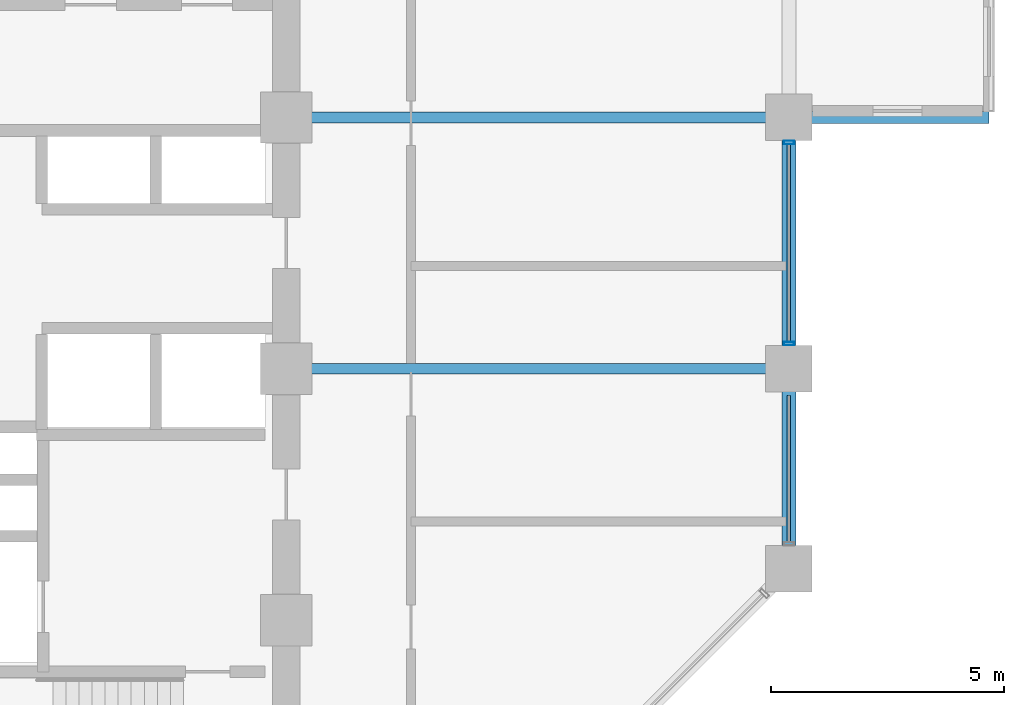
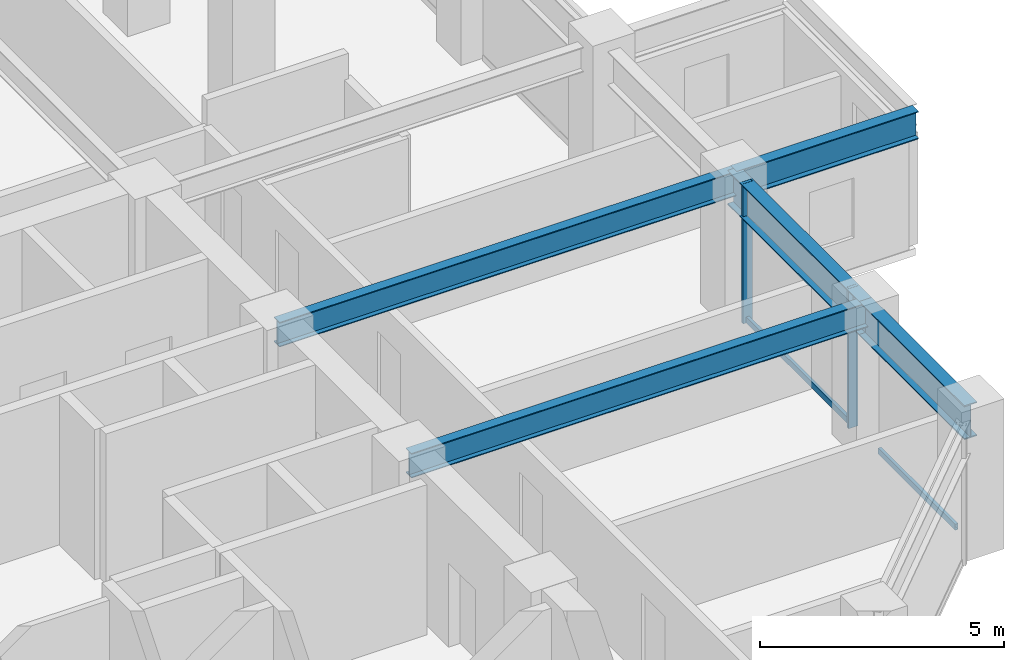
# One storey, part 9 of 29: 5 beams, 4 members, 1 element without a shape of its own.
"""IFC4 building model written with IfcOpenShell, lengths in metres."""

from ifc_helpers import new_model, si_unit, direction, frame, origin, origin_2d, place, context, subcontext, project, spatial, hollow_rectangle, i_section, extrude, material, layer, layer_set, material_profile, profile_set, type_object, element, aggregate, save


model = new_model("IFC4")

# Units and contexts
model_context = context("Model", 3, precision=1e-05, world=origin(), true_north=direction((0.0, 1.0)))
body_context = subcontext(model_context, "Body", "Model", "MODEL_VIEW")
ifc_project = project(units=[si_unit("LENGTHUNIT", "METRE"), si_unit("AREAUNIT", "SQUARE_METRE"), si_unit("VOLUMEUNIT", "CUBIC_METRE"), si_unit("PLANEANGLEUNIT", "RADIAN"), si_unit("MASSUNIT", "GRAM", prefix="KILO")], contexts=[model_context])

# Site, building, storey
site_placement = place(None, origin())
site = spatial("IfcSite", under=ifc_project, at=site_placement, CompositionType="ELEMENT")
building_placement = place(site_placement, origin())
building = spatial("IfcBuilding", under=site, at=building_placement, Name="Surkhivell Harbour Commons", CompositionType="ELEMENT")
storey_placement = place(building_placement, frame((0.0, 0.0, 158.25)))
storey = spatial("IfcBuildingStorey", under=building, at=storey_placement, Name="L41", CompositionType="ELEMENT", Elevation=158.25)

# Beams
ifc_material_1 = material(Name="Steel S460", Category="steel")
ifc_material_profile_1 = material_profile(ifc_material_1, i_section(OverallWidth=0.256103515625, OverallDepth=0.693115234375, WebThickness=0.014404296875, FlangeThickness=0.023681640625, at=origin_2d()), Name="UB686x254x170")
ifc_profile_set_1 = profile_set([ifc_material_profile_1], Name="Steel S460")
beam_type_1 = type_object("IfcBeamType", Name="BM-CNT-686", PredefinedType="BEAM", material=ifc_profile_set_1)
beam_1_placement = place(storey_placement, frame((21.60009765625, 5.39990234375, 3.153564453125), z_axis=(1.0, 0.0, 0.0), x_axis=(0.0, 1.0, 0.0)))
element("IfcBeam", 1, at=beam_1_placement, inside=storey, type_object=beam_type_1, Name="L41 Box Cantilever Outrigger (21.6,5.4)", PredefinedType="BEAM", context=body_context, shape_type="SweptSolid", body=[
    extrude(i_section(OverallWidth=0.256103515625, OverallDepth=0.693115234375, WebThickness=0.014404296875, FlangeThickness=0.023681640625, at=origin_2d()), origin(), (0.0, 0.0, 1.0), 4.2998046875),
])
ifc_material_2 = material(Name="Steel S355", Category="steel")
ifc_material_profile_2 = material_profile(ifc_material_2, i_section(OverallWidth=0.22998046875, OverallDepth=0.616943359375, WebThickness=0.01318359375, FlangeThickness=0.022216796875, at=origin_2d()), Name="UB610x229x140")
ifc_profile_set_2 = profile_set([ifc_material_profile_2], Name="Steel S355")
beam_type_2 = type_object("IfcBeamType", Name="BM-GRD-610B", PredefinedType="BEAM", material=ifc_profile_set_2)
for number, where, z_axis, x_axis, name in (
    (2, (10.800048828125, 5.39990234375, 3.19140625), (1.0, 0.0, 0.0), (0.0, 1.0, 0.0), "L41 Cantilever Back-Span Girder (10.8,5.4)"),
    (3, (10.800048828125, 0.0, 3.19140625), (1.0, 0.0, 0.0), (0.0, 1.0, 0.0), "L41 Floor Girder (10.8,0.0)"),
):
    element("IfcBeam", number, at=place(storey_placement, frame(where, z_axis=z_axis, x_axis=x_axis)), inside=storey, type_object=beam_type_2, Name=name, PredefinedType="BEAM", context=body_context, shape_type="SweptSolid", body=[
        extrude(i_section(OverallWidth=0.22998046875, OverallDepth=0.616943359375, WebThickness=0.01318359375, FlangeThickness=0.022216796875, at=origin_2d()), origin(), (0.0, 0.0, 1.0), 10.800048828125),
    ])
ifc_material_profile_3 = material_profile(ifc_material_1, i_section(OverallWidth=0.2939453125, OverallDepth=0.85107421875, WebThickness=0.01611328125, FlangeThickness=0.02685546875, at=origin_2d()), Name="UB838x292x226")
ifc_profile_set_3 = profile_set([ifc_material_profile_3], Name="Steel S460")
beam_type_3 = type_object("IfcBeamType", Name="BM-SPN-838", PredefinedType="SPANDREL", material=ifc_profile_set_3)
beam_2_placement = place(storey_placement, frame((21.60009765625, -4.300048828125, 3.074462890625), z_axis=(0.0, 1.0, 0.0), x_axis=(-1.0, 0.0, 0.0)))
element("IfcBeam", 4, at=beam_2_placement, inside=storey, type_object=beam_type_3, Name="L41 Tube Spandrel (21.6,-4.3)", PredefinedType="SPANDREL", context=body_context, shape_type="SweptSolid", body=[
    extrude(i_section(OverallWidth=0.2939453125, OverallDepth=0.85107421875, WebThickness=0.01611328125, FlangeThickness=0.02685546875, at=origin_2d()), origin(), (0.0, 0.0, 1.0), 4.300048828125),
])
beam_3_placement = place(storey_placement, frame((21.60009765625, 0.0, 3.074462890625), z_axis=(0.0, 1.0, 0.0), x_axis=(-1.0, 0.0, 0.0)))
element("IfcBeam", 5, at=beam_3_placement, inside=storey, type_object=beam_type_3, Name="L41 Tube Spandrel (21.6,0.0)", PredefinedType="SPANDREL", context=body_context, shape_type="SweptSolid", body=[
    extrude(i_section(OverallWidth=0.2939453125, OverallDepth=0.85107421875, WebThickness=0.01611328125, FlangeThickness=0.02685546875, at=origin_2d()), origin(), (0.0, 0.0, 1.0), 5.39990234375),
])

# Curtain wall, members
ifc_material_3 = material(Name="Anodised pale-metal aluminium and insulated glazing", Category="aluminium")
ifc_layer = layer(ifc_material_3, 0.205078125)
ifc_layer_set = layer_set([ifc_layer], Name="Anodised pale-metal aluminium and insulated glazing")
curtain_wall_type = type_object("IfcCurtainWallType", Name="CW-SYS-Z2", PredefinedType="NOTDEFINED", material=ifc_layer_set)
curtain_wall_placement = place(storey_placement, origin())
curtain_wall = element("IfcCurtainWall", 6, at=curtain_wall_placement, inside=storey, type_object=curtain_wall_type, Name="L41 Curtain Wall CW-L41-E02R1", PredefinedType="NOTDEFINED")
ifc_material_4 = material(Name="Anodised pale-metal aluminium alloy 6063-T6", Category="aluminium")
ifc_material_profile_4 = material_profile(ifc_material_4, hollow_rectangle(XDim=0.074951171875, YDim=0.219970703125, WallThickness=0.00390625, at=origin_2d()), Name="ALU-MULL-75x220")
ifc_profile_set_4 = profile_set([ifc_material_profile_4], Name="Anodised pale-metal aluminium alloy 6063-T6")
member_type_1 = type_object("IfcMemberType", Name="CWM-220", PredefinedType="MULLION", material=ifc_profile_set_4)
member_1_placement = place(storey_placement, frame((21.60009765625, 0.53955078125, 0.0), z_axis=(0.0, 0.0, 1.0), x_axis=(0.0, 1.0, 0.0)))
member_1 = element("IfcMember", 7, at=member_1_placement, type_object=member_type_1, Name="CW-Z2 mullion 2", PredefinedType="MULLION", context=body_context, shape_type="SweptSolid", body=[
    extrude(hollow_rectangle(XDim=0.074951171875, YDim=0.219970703125, WallThickness=0.00390625, at=origin_2d()), origin(), (0.0, 0.0, 1.0), 3.5),
])
member_2_placement = place(storey_placement, frame((21.60009765625, 4.860595703125, 0.0), z_axis=(0.0, 0.0, 1.0), x_axis=(0.0, 1.0, 0.0)))
member_2 = element("IfcMember", 8, at=member_2_placement, type_object=member_type_1, Name="CW-Z2 mullion 3", PredefinedType="MULLION", context=body_context, shape_type="SweptSolid", body=[
    extrude(hollow_rectangle(XDim=0.074951171875, YDim=0.219970703125, WallThickness=0.00390625, at=origin_2d()), origin(), (0.0, 0.0, 1.0), 3.5),
])
ifc_material_profile_5 = material_profile(ifc_material_4, hollow_rectangle(XDim=0.074951171875, YDim=0.14990234375, WallThickness=0.00341796875, at=origin_2d()), Name="ALU-TRAN-75x150")
ifc_profile_set_5 = profile_set([ifc_material_profile_5], Name="Anodised pale-metal aluminium alloy 6063-T6")
member_type_2 = type_object("IfcMemberType", Name="CWT-150", PredefinedType="USERDEFINED", material=ifc_profile_set_5)
member_3_placement = place(storey_placement, frame((21.60009765625, -3.722900390625, 0.074951171875), z_axis=(0.0, 1.0, 0.0), x_axis=(-1.0, 0.0, 0.0)))
member_3 = element("IfcMember", 9, at=member_3_placement, type_object=member_type_2, Name="CW-Z2 transom 1.1", ObjectType="TRANSOM", PredefinedType="USERDEFINED", context=body_context, shape_type="SweptSolid", body=[
    extrude(hollow_rectangle(XDim=0.074951171875, YDim=0.14990234375, WallThickness=0.00341796875, at=origin_2d()), origin(), (0.0, 0.0, 1.0), 3.14599609375),
])
member_4_placement = place(storey_placement, frame((21.60009765625, 0.576904296875, 0.074951171875), z_axis=(0.0, 1.0, 0.0), x_axis=(-1.0, 0.0, 0.0)))
member_4 = element("IfcMember", 10, at=member_4_placement, type_object=member_type_2, Name="CW-Z2 transom 2.1", ObjectType="TRANSOM", PredefinedType="USERDEFINED", context=body_context, shape_type="SweptSolid", body=[
    extrude(hollow_rectangle(XDim=0.074951171875, YDim=0.14990234375, WallThickness=0.00341796875, at=origin_2d()), origin(), (0.0, 0.0, 1.0), 4.24609375),
])
aggregate(curtain_wall, [member_3, member_1, member_2, member_4])

save(model, "model.ifc")
